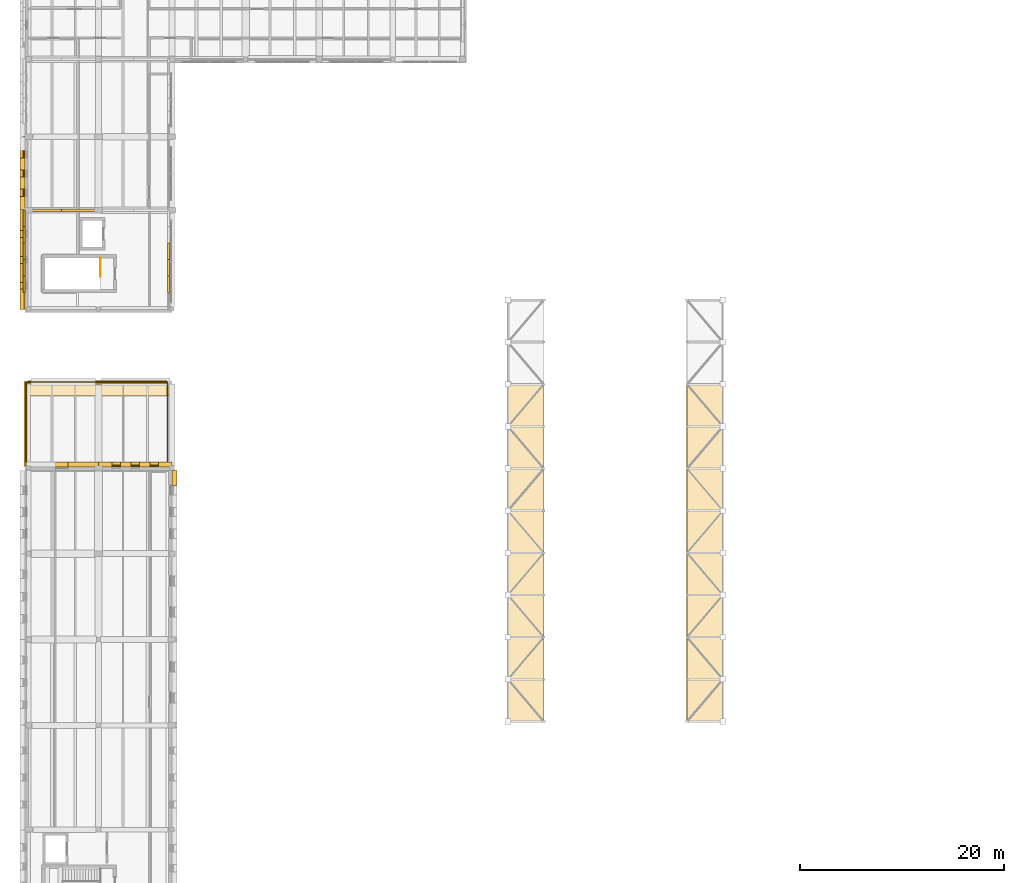
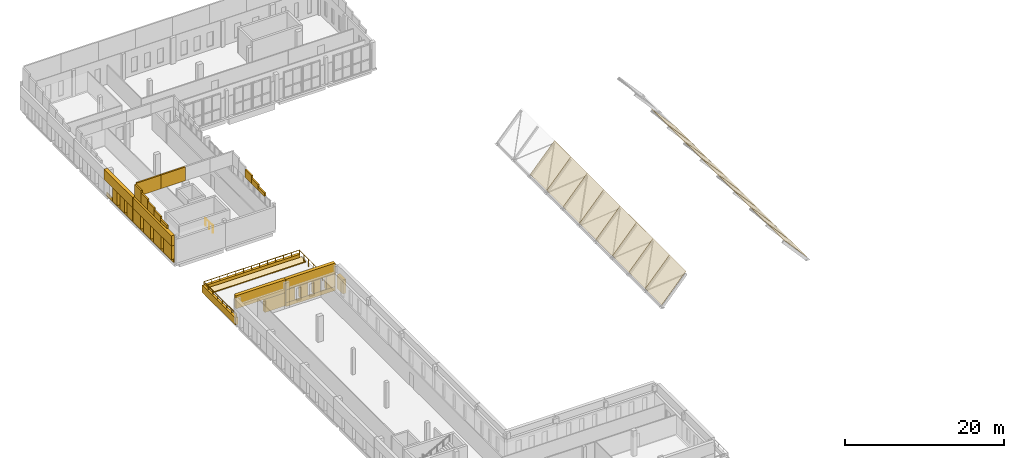
# One storey, part 31 of 34: 49 coverings, 2 railings.
"""IFC4 building model written with IfcOpenShell, lengths in metres."""

from ifc_helpers import new_model, si_unit, direction, frame, origin, origin_2d, place, context, subcontext, project, spatial, polyline, circle, outline, extrude, material, layer, layer_set, type_object, element, save


model = new_model("IFC4")

# Units and contexts
model_context = context("Model", 3, precision=1e-05, world=origin(), true_north=direction((0.0, 1.0)))
body_context = subcontext(model_context, "Body", "Model", "MODEL_VIEW")
ifc_project = project(units=[si_unit("LENGTHUNIT", "METRE"), si_unit("AREAUNIT", "SQUARE_METRE"), si_unit("VOLUMEUNIT", "CUBIC_METRE"), si_unit("PLANEANGLEUNIT", "RADIAN"), si_unit("MASSUNIT", "GRAM", prefix="KILO")], contexts=[model_context])

# Site, building, storey
site_placement = place(None, origin())
site = spatial("IfcSite", under=ifc_project, at=site_placement, CompositionType="ELEMENT")
building_placement = place(site_placement, origin())
building = spatial("IfcBuilding", under=site, at=building_placement, Name="Vardoun Plaza Health Centre", CompositionType="ELEMENT")
storey_placement = place(building_placement, frame((0.0, 0.0, 12.89990234375)))
storey = spatial("IfcBuildingStorey", under=building, at=storey_placement, Name="L03", CompositionType="ELEMENT", Elevation=12.89990234375)

# Coverings
ifc_material_1 = material(Name="Pale Limestone Concrete C35/45", Category="masonry")
ifc_layer_1 = layer(ifc_material_1, 0.080078125)
ifc_layer_set_1 = layer_set([ifc_layer_1], Name="Pale Limestone Concrete C35/45")
covering_type_1 = type_object("IfcCoveringType", Name="CL-EXT1", PredefinedType="CLADDING", material=ifc_layer_set_1)
covering_1_placement = place(storey_placement, frame((0.0, 0.0, 2.210205078125)))
element("IfcCovering", 1, at=covering_1_placement, inside=storey, type_object=covering_type_1, Name="V2 L03 Sculpted Concrete Eyebrow Hood 320", PredefinedType="CLADDING", context=body_context, shape_type="SweptSolid", body=[
    extrude(outline(polyline([(4.52001953125, 61.60009765625), (11.679931640625, 61.60009765625), (11.679931640625, 62.080078125), (4.52001953125, 62.080078125), (4.52001953125, 61.60009765625)])), origin(), (0.0, 0.0, 1.0), 1.989990234375),
])
covering_2_placement = place(storey_placement, frame((0.0, 0.0, 0.190185546875)))
element("IfcCovering", 2, at=covering_2_placement, inside=storey, type_object=covering_type_1, Name="V2 L03 Deep-Punched Slot Concrete Reveal Pier 322", PredefinedType="CLADDING", context=body_context, shape_type="SweptSolid", body=[
    extrude(outline(polyline([(8.695068359375, 61.60009765625), (11.679931640625, 61.60009765625), (11.679931640625, 62.080078125), (8.695068359375, 62.080078125), (8.695068359375, 61.60009765625)])), origin(), (0.0, 0.0, 1.0), 2.02001953125),
])
covering_3_placement = place(storey_placement, origin())
element("IfcCovering", 3, at=covering_3_placement, inside=storey, type_object=covering_type_1, Name="V2 L03 Pale Concrete Sill Band 323", PredefinedType="CLADDING", context=body_context, shape_type="SweptSolid", body=[
    extrude(outline(polyline([(11.719970703125, 61.60009765625), (18.8798828125, 61.60009765625), (18.8798828125, 61.739990234375), (11.719970703125, 61.739990234375), (11.719970703125, 61.60009765625)])), origin(), (0.0, 0.0, 1.0), 0.60009765625),
])
covering_4_placement = place(storey_placement, frame((0.0, 0.0, 2.550048828125)))
element("IfcCovering", 4, at=covering_4_placement, inside=storey, type_object=covering_type_1, Name="V2 L03 Sculpted Concrete Eyebrow Hood 324", PredefinedType="CLADDING", context=body_context, shape_type="SweptSolid", body=[
    extrude(outline(polyline([(11.719970703125, 61.60009765625), (18.8798828125, 61.60009765625), (18.8798828125, 62.080078125), (11.719970703125, 62.080078125), (11.719970703125, 61.60009765625)])), origin(), (0.0, 0.0, 1.0), 1.650146484375),
])
covering_5_placement = place(storey_placement, frame((0.0, 0.0, 0.60009765625)))
element("IfcCovering", 5, at=covering_5_placement, inside=storey, type_object=covering_type_1, Name="V2 L03 Deep-Punched Slot Concrete Reveal Pier 325", PredefinedType="CLADDING", context=body_context, shape_type="SweptSolid", body=[
    extrude(outline(polyline([(11.719970703125, 61.60009765625), (13.01806640625, 61.60009765625), (13.01806640625, 62.080078125), (11.719970703125, 62.080078125), (11.719970703125, 61.60009765625)])), origin(), (0.0, 0.0, 1.0), 1.949951171875),
])
covering_6_placement = place(storey_placement, frame((0.0, 0.0, 0.60009765625)))
element("IfcCovering", 6, at=covering_6_placement, inside=storey, type_object=covering_type_1, Name="V2 L03 Deep-Punched Slot Concrete Reveal Pier 326", PredefinedType="CLADDING", context=body_context, shape_type="SweptSolid", body=[
    extrude(outline(polyline([(13.837890625, 61.60009765625), (14.889892578125, 61.60009765625), (14.889892578125, 62.080078125), (13.837890625, 62.080078125), (13.837890625, 61.60009765625)])), origin(), (0.0, 0.0, 1.0), 1.949951171875),
])
covering_7_placement = place(storey_placement, frame((0.0, 0.0, 0.60009765625)))
element("IfcCovering", 7, at=covering_7_placement, inside=storey, type_object=covering_type_1, Name="V2 L03 Deep-Punched Slot Concrete Reveal Pier 327", PredefinedType="CLADDING", context=body_context, shape_type="SweptSolid", body=[
    extrude(outline(polyline([(15.7099609375, 61.60009765625), (16.761962890625, 61.60009765625), (16.761962890625, 62.080078125), (15.7099609375, 62.080078125), (15.7099609375, 61.60009765625)])), origin(), (0.0, 0.0, 1.0), 1.949951171875),
])
covering_8_placement = place(storey_placement, frame((0.0, 0.0, 0.60009765625)))
element("IfcCovering", 8, at=covering_8_placement, inside=storey, type_object=covering_type_1, Name="V2 L03 Deep-Punched Slot Concrete Reveal Pier 328", PredefinedType="CLADDING", context=body_context, shape_type="SweptSolid", body=[
    extrude(outline(polyline([(17.58203125, 61.60009765625), (18.8798828125, 61.60009765625), (18.8798828125, 62.080078125), (17.58203125, 62.080078125), (17.58203125, 61.60009765625)])), origin(), (0.0, 0.0, 1.0), 1.949951171875),
])
covering_9_placement = place(storey_placement, frame((0.0, 0.0, 0.550048828125)))
element("IfcCovering", 9, at=covering_9_placement, inside=storey, type_object=covering_type_1, Name="V2 L03 Deep-Punched Slot Concrete Reveal Pier 331", PredefinedType="CLADDING", context=body_context, shape_type="SweptSolid", body=[
    extrude(outline(polyline([(18.89990234375, 61.235107421875), (18.89990234375, 59.7578125), (19.3798828125, 59.7578125), (19.3798828125, 61.235107421875), (18.89990234375, 61.235107421875)])), origin(), (0.0, 0.0, 1.0), 2.1201171875),
])
covering_10_placement = place(storey_placement, origin())
element("IfcCovering", 10, at=covering_10_placement, inside=storey, type_object=covering_type_1, Name="V3 L03 Pale Concrete Sill Band 950", PredefinedType="CLADDING", context=body_context, shape_type="SweptSolid", body=[
    extrude(outline(polyline([(4.5, 77.014892578125), (4.5, 86.679931640625), (4.360107421875, 86.679931640625), (4.360107421875, 77.014892578125), (4.5, 77.014892578125)])), origin(), (0.0, 0.0, 1.0), 0.550048828125),
])
covering_11_placement = place(storey_placement, frame((0.0, 0.0, 2.630126953125)))
element("IfcCovering", 11, at=covering_11_placement, inside=storey, type_object=covering_type_1, Name="V3 L03 Sculpted Concrete Eyebrow Hood 951", PredefinedType="CLADDING", context=body_context, shape_type="SweptSolid", body=[
    extrude(outline(polyline([(4.5, 77.014892578125), (4.5, 86.679931640625), (4.02001953125, 86.679931640625), (4.02001953125, 77.014892578125), (4.5, 77.014892578125)])), origin(), (0.0, 0.0, 1.0), 1.570068359375),
])
covering_12_placement = place(storey_placement, frame((0.0, 0.0, 0.550048828125)))
element("IfcCovering", 12, at=covering_12_placement, inside=storey, type_object=covering_type_1, Name="V3 L03 Deep-Punched Slot Concrete Reveal Pier 952", PredefinedType="CLADDING", context=body_context, shape_type="SweptSolid", body=[
    extrude(outline(polyline([(4.5, 77.014892578125), (4.5, 78.994140625), (4.02001953125, 78.994140625), (4.02001953125, 77.014892578125), (4.5, 77.014892578125)])), origin(), (0.0, 0.0, 1.0), 2.080078125),
])
covering_13_placement = place(storey_placement, frame((0.0, 0.0, 0.550048828125)))
element("IfcCovering", 13, at=covering_13_placement, inside=storey, type_object=covering_type_1, Name="V3 L03 Deep-Punched Slot Concrete Reveal Pier 953", PredefinedType="CLADDING", context=body_context, shape_type="SweptSolid", body=[
    extrude(outline(polyline([(4.5, 79.654296875), (4.5, 81.517578125), (4.02001953125, 81.517578125), (4.02001953125, 79.654296875), (4.5, 79.654296875)])), origin(), (0.0, 0.0, 1.0), 2.080078125),
])
covering_14_placement = place(storey_placement, frame((0.0, 0.0, 0.550048828125)))
element("IfcCovering", 14, at=covering_14_placement, inside=storey, type_object=covering_type_1, Name="V3 L03 Deep-Punched Slot Concrete Reveal Pier 954", PredefinedType="CLADDING", context=body_context, shape_type="SweptSolid", body=[
    extrude(outline(polyline([(4.5, 82.177490234375), (4.5, 84.040771484375), (4.02001953125, 84.040771484375), (4.02001953125, 82.177490234375), (4.5, 82.177490234375)])), origin(), (0.0, 0.0, 1.0), 2.080078125),
])
covering_15_placement = place(storey_placement, frame((0.0, 0.0, 0.550048828125)))
element("IfcCovering", 15, at=covering_15_placement, inside=storey, type_object=covering_type_1, Name="V3 L03 Deep-Punched Slot Concrete Reveal Pier 955", PredefinedType="CLADDING", context=body_context, shape_type="SweptSolid", body=[
    extrude(outline(polyline([(4.5, 84.70068359375), (4.5, 86.679931640625), (4.02001953125, 86.679931640625), (4.02001953125, 84.70068359375), (4.5, 84.70068359375)])), origin(), (0.0, 0.0, 1.0), 2.080078125),
])
covering_16_placement = place(storey_placement, origin())
element("IfcCovering", 16, at=covering_16_placement, inside=storey, type_object=covering_type_1, Name="V3 L03 Pale Concrete Sill Band 956", PredefinedType="CLADDING", context=body_context, shape_type="SweptSolid", body=[
    extrude(outline(polyline([(4.5, 86.719970703125), (4.5, 93.8798828125), (4.360107421875, 93.8798828125), (4.360107421875, 86.719970703125), (4.5, 86.719970703125)])), origin(), (0.0, 0.0, 1.0), 0.550048828125),
])
covering_17_placement = place(storey_placement, frame((0.0, 0.0, 2.630126953125)))
element("IfcCovering", 17, at=covering_17_placement, inside=storey, type_object=covering_type_1, Name="V3 L03 Sculpted Concrete Eyebrow Hood 957", PredefinedType="CLADDING", context=body_context, shape_type="SweptSolid", body=[
    extrude(outline(polyline([(4.5, 86.719970703125), (4.5, 93.8798828125), (4.02001953125, 93.8798828125), (4.02001953125, 86.719970703125), (4.5, 86.719970703125)])), origin(), (0.0, 0.0, 1.0), 1.570068359375),
])
covering_18_placement = place(storey_placement, frame((0.0, 0.0, 0.550048828125)))
element("IfcCovering", 18, at=covering_18_placement, inside=storey, type_object=covering_type_1, Name="V3 L03 Deep-Punched Slot Concrete Reveal Pier 958", PredefinedType="CLADDING", context=body_context, shape_type="SweptSolid", body=[
    extrude(outline(polyline([(4.5, 86.719970703125), (4.5, 88.068115234375), (4.02001953125, 88.068115234375), (4.02001953125, 86.719970703125), (4.5, 86.719970703125)])), origin(), (0.0, 0.0, 1.0), 2.080078125),
])
covering_19_placement = place(storey_placement, frame((0.0, 0.0, 0.550048828125)))
element("IfcCovering", 19, at=covering_19_placement, inside=storey, type_object=covering_type_1, Name="V3 L03 Deep-Punched Slot Concrete Reveal Pier 959", PredefinedType="CLADDING", context=body_context, shape_type="SweptSolid", body=[
    extrude(outline(polyline([(4.5, 88.7880859375), (4.5, 89.93994140625), (4.02001953125, 89.93994140625), (4.02001953125, 88.7880859375), (4.5, 88.7880859375)])), origin(), (0.0, 0.0, 1.0), 2.080078125),
])
covering_20_placement = place(storey_placement, frame((0.0, 0.0, 0.550048828125)))
element("IfcCovering", 20, at=covering_20_placement, inside=storey, type_object=covering_type_1, Name="V3 L03 Deep-Punched Slot Concrete Reveal Pier 960", PredefinedType="CLADDING", context=body_context, shape_type="SweptSolid", body=[
    extrude(outline(polyline([(4.5, 90.659912109375), (4.5, 91.81201171875), (4.02001953125, 91.81201171875), (4.02001953125, 90.659912109375), (4.5, 90.659912109375)])), origin(), (0.0, 0.0, 1.0), 2.080078125),
])
covering_21_placement = place(storey_placement, frame((0.0, 0.0, 4.2001953125)))
element("IfcCovering", 21, at=covering_21_placement, inside=storey, type_object=covering_type_1, Name="Sculpted Concrete Roof Gable Cladding V3-S1-W.2", PredefinedType="CLADDING", context=body_context, shape_type="SweptSolid", body=[
    extrude(outline(polyline([(4.5400390625, 78.666748046875), (4.5400390625, 80.273193359375), (4.320068359375, 80.273193359375), (4.320068359375, 78.666748046875), (4.5400390625, 78.666748046875)])), origin(), (0.0, 0.0, 1.0), 0.52490234375),
])
covering_22_placement = place(storey_placement, frame((0.0, 0.0, 4.2001953125)))
element("IfcCovering", 22, at=covering_22_placement, inside=storey, type_object=covering_type_1, Name="Sculpted Concrete Roof Gable Cladding V3-S1-W.3", PredefinedType="CLADDING", context=body_context, shape_type="SweptSolid", body=[
    extrude(outline(polyline([(4.5400390625, 80.273193359375), (4.5400390625, 81.8798828125), (4.320068359375, 81.8798828125), (4.320068359375, 80.273193359375), (4.5400390625, 80.273193359375)])), origin(), (0.0, 0.0, 1.0), 0.875),
])
covering_23_placement = place(storey_placement, frame((0.0, 0.0, 4.2001953125)))
element("IfcCovering", 23, at=covering_23_placement, inside=storey, type_object=covering_type_1, Name="Sculpted Concrete Roof Gable Cladding V3-S1-W.4", PredefinedType="CLADDING", context=body_context, shape_type="SweptSolid", body=[
    extrude(outline(polyline([(4.5400390625, 81.8798828125), (4.5400390625, 83.48681640625), (4.320068359375, 83.48681640625), (4.320068359375, 81.8798828125), (4.5400390625, 81.8798828125)])), origin(), (0.0, 0.0, 1.0), 1.224853515625),
])
covering_24_placement = place(storey_placement, frame((0.0, 0.0, 4.2001953125)))
element("IfcCovering", 24, at=covering_24_placement, inside=storey, type_object=covering_type_1, Name="Sculpted Concrete Roof Gable Cladding V3-S1-W.5", PredefinedType="CLADDING", context=body_context, shape_type="SweptSolid", body=[
    extrude(outline(polyline([(4.5400390625, 83.48681640625), (4.5400390625, 85.09326171875), (4.320068359375, 85.09326171875), (4.320068359375, 83.48681640625), (4.5400390625, 83.48681640625)])), origin(), (0.0, 0.0, 1.0), 1.574951171875),
])
covering_25_placement = place(storey_placement, frame((0.0, 0.0, 4.2001953125)))
element("IfcCovering", 25, at=covering_25_placement, inside=storey, type_object=covering_type_1, Name="Sculpted Concrete Roof Gable Cladding V3-S1-W.6", PredefinedType="CLADDING", context=body_context, shape_type="SweptSolid", body=[
    extrude(outline(polyline([(4.5400390625, 85.09326171875), (4.5400390625, 86.699951171875), (4.320068359375, 86.699951171875), (4.320068359375, 85.09326171875), (4.5400390625, 85.09326171875)])), origin(), (0.0, 0.0, 1.0), 1.9248046875),
])
covering_26_placement = place(storey_placement, frame((0.0, 0.0, 4.2001953125)))
element("IfcCovering", 26, at=covering_26_placement, inside=storey, type_object=covering_type_1, Name="Sculpted Concrete Roof Gable Cladding V3-S1-E.2", PredefinedType="CLADDING", context=body_context, shape_type="SweptSolid", body=[
    extrude(outline(polyline([(18.659912109375, 78.666748046875), (18.659912109375, 80.273193359375), (18.43994140625, 80.273193359375), (18.43994140625, 78.666748046875), (18.659912109375, 78.666748046875)])), origin(), (0.0, 0.0, 1.0), 0.52490234375),
])
covering_27_placement = place(storey_placement, frame((0.0, 0.0, 4.2001953125)))
element("IfcCovering", 27, at=covering_27_placement, inside=storey, type_object=covering_type_1, Name="Sculpted Concrete Roof Gable Cladding V3-S1-E.3", PredefinedType="CLADDING", context=body_context, shape_type="SweptSolid", body=[
    extrude(outline(polyline([(18.659912109375, 80.273193359375), (18.659912109375, 81.8798828125), (18.43994140625, 81.8798828125), (18.43994140625, 80.273193359375), (18.659912109375, 80.273193359375)])), origin(), (0.0, 0.0, 1.0), 0.875),
])
covering_28_placement = place(storey_placement, frame((0.0, 0.0, 4.2001953125)))
element("IfcCovering", 28, at=covering_28_placement, inside=storey, type_object=covering_type_1, Name="Sculpted Concrete Roof Gable Cladding V3-S1-E.4", PredefinedType="CLADDING", context=body_context, shape_type="SweptSolid", body=[
    extrude(outline(polyline([(18.659912109375, 81.8798828125), (18.659912109375, 83.48681640625), (18.43994140625, 83.48681640625), (18.43994140625, 81.8798828125), (18.659912109375, 81.8798828125)])), origin(), (0.0, 0.0, 1.0), 1.224853515625),
])
covering_29_placement = place(storey_placement, frame((0.0, 0.0, 4.2001953125)))
element("IfcCovering", 29, at=covering_29_placement, inside=storey, type_object=covering_type_1, Name="Sculpted Concrete Roof Gable Cladding V3-S1-N.1", PredefinedType="CLADDING", context=body_context, shape_type="SweptSolid", body=[
    extrude(outline(polyline([(4.5400390625, 86.60009765625), (8.070068359375, 86.60009765625), (8.070068359375, 86.820068359375), (4.5400390625, 86.820068359375), (4.5400390625, 86.60009765625)])), origin(), (0.0, 0.0, 1.0), 2.099853515625),
])
covering_30_placement = place(storey_placement, frame((0.0, 0.0, 4.2001953125)))
element("IfcCovering", 30, at=covering_30_placement, inside=storey, type_object=covering_type_1, Name="Sculpted Concrete Roof Gable Cladding V3-S1-N.2", PredefinedType="CLADDING", context=body_context, shape_type="SweptSolid", body=[
    extrude(outline(polyline([(8.070068359375, 86.60009765625), (11.60009765625, 86.60009765625), (11.60009765625, 86.820068359375), (8.070068359375, 86.820068359375), (8.070068359375, 86.60009765625)])), origin(), (0.0, 0.0, 1.0), 2.099853515625),
])
covering_31_placement = place(storey_placement, frame((0.0, 0.0, -0.27978515625)))
element("IfcCovering", 31, at=covering_31_placement, inside=storey, type_object=covering_type_1, Name="V2 L03 Sculpted White Terrace Planter Ribbon W1", PredefinedType="CLADDING", context=body_context, shape_type="SweptSolid", body=[
    extrude(outline(polyline([(4.419921875, 61.64990234375), (4.780029296875, 61.64990234375), (4.780029296875, 69.949951171875), (4.419921875, 69.949951171875), (4.419921875, 61.64990234375)])), origin(), (0.0, 0.0, 1.0), 1.08984375),
])
covering_32_placement = place(storey_placement, frame((0.0, 0.0, -0.27978515625)))
element("IfcCovering", 32, at=covering_32_placement, inside=storey, type_object=covering_type_1, Name="V2 L03 Sculpted White Terrace Planter Ribbon N1", PredefinedType="CLADDING", context=body_context, shape_type="SweptSolid", body=[
    extrude(outline(polyline([(4.780029296875, 69.679931640625), (18.39990234375, 69.679931640625), (18.39990234375, 70.06005859375), (4.780029296875, 70.06005859375), (4.780029296875, 69.679931640625)])), origin(), (0.0, 0.0, 1.0), 1.08984375),
])
ifc_material_2 = material(Name="Planted Mediterranean Garden Substrate", Category="wood")
ifc_layer_2 = layer(ifc_material_2, 0.139892578125)
ifc_layer_set_2 = layer_set([ifc_layer_2], Name="Planted Mediterranean Garden Substrate")
covering_type_2 = type_object("IfcCoveringType", Name="CV-G1", PredefinedType="ROOFING", material=ifc_layer_set_2)
covering_33_placement = place(storey_placement, frame((0.0, 0.0, 0.190185546875)))
element("IfcCovering", 33, at=covering_33_placement, inside=storey, type_object=covering_type_2, Name="V2 L03 Garden Planter Bed 1", PredefinedType="ROOFING", context=body_context, shape_type="SweptSolid", body=[
    extrude(outline(polyline([(4.75, 68.550048828125), (18.64990234375, 68.550048828125), (18.64990234375, 69.75), (4.75, 69.75), (4.75, 68.550048828125)])), origin(), (0.0, 0.0, 1.0), 0.139892578125),
])
ifc_material_3 = material(Name="EPDM Insulated Roof Membrane", Category="concrete")
ifc_layer_3 = layer(ifc_material_3, 0.044921875)
ifc_layer_set_3 = layer_set([ifc_layer_3], Name="EPDM Insulated Roof Membrane")
covering_type_3 = type_object("IfcCoveringType", Name="CV-M1", PredefinedType="ROOFING", material=ifc_layer_set_3)
covering_34_placement = place(storey_placement, frame((51.764892578125, 36.679931640625, 1.392578125), z_axis=(-0.746926194805, 0.0, 0.664906955532), x_axis=(0.664906955532, 0.0, 0.746926194805)))
element("IfcCovering", 34, at=covering_34_placement, inside=storey, type_object=covering_type_3, Name="Gridshell Vault Cladding 1.2", PredefinedType="ROOFING", context=body_context, shape_type="SweptSolid", body=[
    extrude(outline(polyline([(0.0, 0.0), (5.271605183198316, 0.0), (5.271605183198316, 4.124023437499999), (0.0, 4.124023437499999), (0.0, 0.0)])), origin(), (0.0, 0.0, -1.0), 0.044921875),
])
covering_35_placement = place(storey_placement, frame((69.2900390625, 36.679931640625, 5.330078125), z_axis=(0.746949195485, 0.0, 0.664881116715), x_axis=(0.664881116715, 0.0, -0.746949195485)))
element("IfcCovering", 35, at=covering_35_placement, inside=storey, type_object=covering_type_3, Name="Gridshell Vault Cladding 1.7", PredefinedType="ROOFING", context=body_context, shape_type="SweptSolid", body=[
    extrude(outline(polyline([(0.0, 0.0), (5.2714428555527295, 0.0), (5.2714428555527295, 4.124023437499999), (0.0, 4.124023437499999), (0.0, 0.0)])), origin(), (0.0, 0.0, -1.0), 0.044921875),
])
covering_36_placement = place(storey_placement, frame((51.764892578125, 40.803955078125, 1.392578125), z_axis=(-0.746926194805, 0.0, 0.664906955532), x_axis=(0.664906955532, 0.0, 0.746926194805)))
element("IfcCovering", 36, at=covering_36_placement, inside=storey, type_object=covering_type_3, Name="Gridshell Vault Cladding 2.2", PredefinedType="ROOFING", context=body_context, shape_type="SweptSolid", body=[
    extrude(outline(polyline([(0.0, 0.0), (5.271605183198316, 0.0), (5.271605183198316, 4.124023437499999), (0.0, 4.124023437499999), (0.0, 0.0)])), origin(), (0.0, 0.0, -1.0), 0.044921875),
])
covering_37_placement = place(storey_placement, frame((69.2900390625, 40.803955078125, 5.330078125), z_axis=(0.746949195485, 0.0, 0.664881116715), x_axis=(0.664881116715, 0.0, -0.746949195485)))
element("IfcCovering", 37, at=covering_37_placement, inside=storey, type_object=covering_type_3, Name="Gridshell Vault Cladding 2.7", PredefinedType="ROOFING", context=body_context, shape_type="SweptSolid", body=[
    extrude(outline(polyline([(0.0, 0.0), (5.2714428555527295, 0.0), (5.2714428555527295, 4.124023437499999), (0.0, 4.124023437499999), (0.0, 0.0)])), origin(), (0.0, 0.0, -1.0), 0.044921875),
])
covering_38_placement = place(storey_placement, frame((51.764892578125, 44.927978515625, 1.392578125), z_axis=(-0.746926194805, 0.0, 0.664906955532), x_axis=(0.664906955532, 0.0, 0.746926194805)))
element("IfcCovering", 38, at=covering_38_placement, inside=storey, type_object=covering_type_3, Name="Gridshell Vault Cladding 3.2", PredefinedType="ROOFING", context=body_context, shape_type="SweptSolid", body=[
    extrude(outline(polyline([(0.0, 0.0), (5.271605183198316, 0.0), (5.271605183198316, 4.124023437499999), (0.0, 4.124023437499999), (0.0, 0.0)])), origin(), (0.0, 0.0, -1.0), 0.044921875),
])
covering_39_placement = place(storey_placement, frame((69.2900390625, 44.927978515625, 5.330078125), z_axis=(0.746949195485, 0.0, 0.664881116715), x_axis=(0.664881116715, 0.0, -0.746949195485)))
element("IfcCovering", 39, at=covering_39_placement, inside=storey, type_object=covering_type_3, Name="Gridshell Vault Cladding 3.7", PredefinedType="ROOFING", context=body_context, shape_type="SweptSolid", body=[
    extrude(outline(polyline([(0.0, 0.0), (5.2714428555527295, 0.0), (5.2714428555527295, 4.124023437499999), (0.0, 4.124023437499999), (0.0, 0.0)])), origin(), (0.0, 0.0, -1.0), 0.044921875),
])
covering_40_placement = place(storey_placement, frame((51.764892578125, 49.052001953125, 1.392578125), z_axis=(-0.746926194805, 0.0, 0.664906955532), x_axis=(0.664906955532, 0.0, 0.746926194805)))
element("IfcCovering", 40, at=covering_40_placement, inside=storey, type_object=covering_type_3, Name="Gridshell Vault Cladding 4.2", PredefinedType="ROOFING", context=body_context, shape_type="SweptSolid", body=[
    extrude(outline(polyline([(0.0, 0.0), (5.271605183198316, 0.0), (5.271605183198316, 4.124023437499999), (0.0, 4.124023437499999), (0.0, 0.0)])), origin(), (0.0, 0.0, -1.0), 0.044921875),
])
covering_41_placement = place(storey_placement, frame((69.2900390625, 49.052001953125, 5.330078125), z_axis=(0.746949195485, 0.0, 0.664881116715), x_axis=(0.664881116715, 0.0, -0.746949195485)))
element("IfcCovering", 41, at=covering_41_placement, inside=storey, type_object=covering_type_3, Name="Gridshell Vault Cladding 4.7", PredefinedType="ROOFING", context=body_context, shape_type="SweptSolid", body=[
    extrude(outline(polyline([(0.0, 0.0), (5.2714428555527295, 0.0), (5.2714428555527295, 4.124023437499999), (0.0, 4.124023437499999), (0.0, 0.0)])), origin(), (0.0, 0.0, -1.0), 0.044921875),
])
covering_42_placement = place(storey_placement, frame((51.764892578125, 53.176025390625, 1.392578125), z_axis=(-0.746926194805, 0.0, 0.664906955532), x_axis=(0.664906955532, 0.0, 0.746926194805)))
element("IfcCovering", 42, at=covering_42_placement, inside=storey, type_object=covering_type_3, Name="Gridshell Vault Cladding 5.2", PredefinedType="ROOFING", context=body_context, shape_type="SweptSolid", body=[
    extrude(outline(polyline([(0.0, 0.0), (5.271605183198316, 0.0), (5.271605183198316, 4.124023437499999), (0.0, 4.124023437499999), (0.0, 0.0)])), origin(), (0.0, 0.0, -1.0), 0.044921875),
])
covering_43_placement = place(storey_placement, frame((69.2900390625, 53.176025390625, 5.330078125), z_axis=(0.746949195485, 0.0, 0.664881116715), x_axis=(0.664881116715, 0.0, -0.746949195485)))
element("IfcCovering", 43, at=covering_43_placement, inside=storey, type_object=covering_type_3, Name="Gridshell Vault Cladding 5.7", PredefinedType="ROOFING", context=body_context, shape_type="SweptSolid", body=[
    extrude(outline(polyline([(0.0, 0.0), (5.2714428555527295, 0.0), (5.2714428555527295, 4.124023437499999), (0.0, 4.124023437499999), (0.0, 0.0)])), origin(), (0.0, 0.0, -1.0), 0.044921875),
])
covering_44_placement = place(storey_placement, frame((51.764892578125, 57.300048828125, 1.392578125), z_axis=(-0.746926194805, 0.0, 0.664906955532), x_axis=(0.664906955532, 0.0, 0.746926194805)))
element("IfcCovering", 44, at=covering_44_placement, inside=storey, type_object=covering_type_3, Name="Gridshell Vault Cladding 6.2", PredefinedType="ROOFING", context=body_context, shape_type="SweptSolid", body=[
    extrude(outline(polyline([(0.0, 0.0), (5.271605183198316, 0.0), (5.271605183198316, 4.124023437499999), (0.0, 4.124023437499999), (0.0, 0.0)])), origin(), (0.0, 0.0, -1.0), 0.044921875),
])
covering_45_placement = place(storey_placement, frame((69.2900390625, 57.300048828125, 5.330078125), z_axis=(0.746949195485, 0.0, 0.664881116715), x_axis=(0.664881116715, 0.0, -0.746949195485)))
element("IfcCovering", 45, at=covering_45_placement, inside=storey, type_object=covering_type_3, Name="Gridshell Vault Cladding 6.7", PredefinedType="ROOFING", context=body_context, shape_type="SweptSolid", body=[
    extrude(outline(polyline([(0.0, 0.0), (5.2714428555527295, 0.0), (5.2714428555527295, 4.124023437499999), (0.0, 4.124023437499999), (0.0, 0.0)])), origin(), (0.0, 0.0, -1.0), 0.044921875),
])
covering_46_placement = place(storey_placement, frame((51.764892578125, 61.424072265625, 1.392578125), z_axis=(-0.746926194805, 0.0, 0.664906955532), x_axis=(0.664906955532, 0.0, 0.746926194805)))
element("IfcCovering", 46, at=covering_46_placement, inside=storey, type_object=covering_type_3, Name="Gridshell Vault Cladding 7.2", PredefinedType="ROOFING", context=body_context, shape_type="SweptSolid", body=[
    extrude(outline(polyline([(0.0, 0.0), (5.271605183198316, 0.0), (5.271605183198316, 4.124023437499999), (0.0, 4.124023437499999), (0.0, 0.0)])), origin(), (0.0, 0.0, -1.0), 0.044921875),
])
covering_47_placement = place(storey_placement, frame((69.2900390625, 61.424072265625, 5.330078125), z_axis=(0.746949195485, 0.0, 0.664881116715), x_axis=(0.664881116715, 0.0, -0.746949195485)))
element("IfcCovering", 47, at=covering_47_placement, inside=storey, type_object=covering_type_3, Name="Gridshell Vault Cladding 7.7", PredefinedType="ROOFING", context=body_context, shape_type="SweptSolid", body=[
    extrude(outline(polyline([(0.0, 0.0), (5.2714428555527295, 0.0), (5.2714428555527295, 4.124023437499999), (0.0, 4.124023437499999), (0.0, 0.0)])), origin(), (0.0, 0.0, -1.0), 0.044921875),
])
covering_48_placement = place(storey_placement, frame((51.764892578125, 65.548095703125, 1.392578125), z_axis=(-0.746926194805, 0.0, 0.664906955532), x_axis=(0.664906955532, 0.0, 0.746926194805)))
element("IfcCovering", 48, at=covering_48_placement, inside=storey, type_object=covering_type_3, Name="Gridshell Vault Cladding 8.2", PredefinedType="ROOFING", context=body_context, shape_type="SweptSolid", body=[
    extrude(outline(polyline([(0.0, 0.0), (5.271605183198316, 0.0), (5.271605183198316, 4.124023437499999), (0.0, 4.124023437499999), (0.0, 0.0)])), origin(), (0.0, 0.0, -1.0), 0.044921875),
])
covering_49_placement = place(storey_placement, frame((69.2900390625, 65.548095703125, 5.330078125), z_axis=(0.746949195485, 0.0, 0.664881116715), x_axis=(0.664881116715, 0.0, -0.746949195485)))
element("IfcCovering", 49, at=covering_49_placement, inside=storey, type_object=covering_type_3, Name="Gridshell Vault Cladding 8.7", PredefinedType="ROOFING", context=body_context, shape_type="SweptSolid", body=[
    extrude(outline(polyline([(0.0, 0.0), (5.2714428555527295, 0.0), (5.2714428555527295, 4.124023437499999), (0.0, 4.124023437499999), (0.0, 0.0)])), origin(), (0.0, 0.0, -1.0), 0.044921875),
])

# Railings
ifc_material_4 = material(Name="Painted Steel S275JR Stair-Well Guardrail", Category="steel")
railing_type_1 = type_object("IfcRailingType", Name="GR-04", PredefinedType="GUARDRAIL", material=ifc_material_4)
railing_1_placement = place(storey_placement, frame((11.889892578125, 80.205078125, 0.0)))
element("IfcRailing", 50, at=railing_1_placement, inside=storey, type_object=railing_type_1, Name="Stair ST-C3-L02 Upper Landing Well Guard", PredefinedType="GUARDRAIL", context=body_context, shape_type="SweptSolid", body=[
    extrude(circle(Radius=0.02392578125, at=origin_2d()), frame((0.0, 0.0, 1.09619140625), z_axis=(0.0, 1.0, 0.0), x_axis=(-1.0, 0.0, 0.0)), (0.0, 0.0, 1.0), 1.81494140625),
    extrude(circle(Radius=0.02099609375, at=origin_2d()), origin(), (0.0, 0.0, 1.0), 1.072021484375),
    extrude(circle(Radius=0.02099609375, at=origin_2d()), frame((0.0, 0.907470703125, 0.0)), (0.0, 0.0, 1.0), 1.072021484375),
    extrude(circle(Radius=0.02099609375, at=origin_2d()), frame((0.0, 1.81494140625, 0.0)), (0.0, 0.0, 1.0), 1.072021484375),
])
ifc_material_5 = material(Name="Galvanised Steel S275JR and Laminated Glass", Category="steel")
railing_type_2 = type_object("IfcRailingType", Name="GR-01", PredefinedType="BALUSTRADE", material=ifc_material_5)
railing_2_placement = place(storey_placement, frame((4.6201171875, 61.719970703125, 0.190185546875)))
element("IfcRailing", 51, at=railing_2_placement, inside=storey, type_object=railing_type_2, Name="V2 L03 Terrace Balustrade 1", PredefinedType="BALUSTRADE", context=body_context, shape_type="SweptSolid", body=[
    extrude(circle(Radius=0.02392578125, at=origin_2d()), frame((0.0, 0.0, 1.1259765625), z_axis=(0.0, 1.0, 0.0), x_axis=(-1.0, 0.0, 0.0)), (0.0, 0.0, 1.0), 8.159912109375),
    extrude(circle(Radius=0.02392578125, at=origin_2d()), frame((0.0, 8.159912109375, 1.1259765625), z_axis=(1.0, 0.0, 0.0), x_axis=(0.0, 1.0, 0.0)), (0.0, 0.0, 1.0), 13.829833984375),
    extrude(circle(Radius=0.02392578125, at=origin_2d()), frame((13.829833984375, 8.159912109375, 1.1259765625), z_axis=(0.0, -1.0, 0.0), x_axis=(1.0, 0.0, 0.0)), (0.0, 0.0, 1.0), 8.159912109375),
    extrude(circle(Radius=0.02099609375, at=origin_2d()), origin(), (0.0, 0.0, 1.0), 1.101806640625),
    extrude(circle(Radius=0.02099609375, at=origin_2d()), frame((0.0, 1.165771484375, 0.0)), (0.0, 0.0, 1.0), 1.101806640625),
    extrude(circle(Radius=0.02099609375, at=origin_2d()), frame((0.0, 2.331298828125, 0.0)), (0.0, 0.0, 1.0), 1.101806640625),
    extrude(circle(Radius=0.02099609375, at=origin_2d()), frame((0.0, 3.4970703125, 0.0)), (0.0, 0.0, 1.0), 1.101806640625),
    extrude(circle(Radius=0.02099609375, at=origin_2d()), frame((0.0, 4.662841796875, 0.0)), (0.0, 0.0, 1.0), 1.101806640625),
    extrude(circle(Radius=0.02099609375, at=origin_2d()), frame((0.0, 5.82861328125, 0.0)), (0.0, 0.0, 1.0), 1.101806640625),
    extrude(circle(Radius=0.02099609375, at=origin_2d()), frame((0.0, 6.994140625, 0.0)), (0.0, 0.0, 1.0), 1.101806640625),
    extrude(circle(Radius=0.02099609375, at=origin_2d()), frame((0.0, 8.159912109375, 0.0)), (0.0, 0.0, 1.0), 1.101806640625),
    extrude(circle(Radius=0.02099609375, at=origin_2d()), frame((1.152587890625, 8.159912109375, 0.0)), (0.0, 0.0, 1.0), 1.101806640625),
    extrude(circle(Radius=0.02099609375, at=origin_2d()), frame((2.304931640625, 8.159912109375, 0.0)), (0.0, 0.0, 1.0), 1.101806640625),
    extrude(circle(Radius=0.02099609375, at=origin_2d()), frame((3.45751953125, 8.159912109375, 0.0)), (0.0, 0.0, 1.0), 1.101806640625),
    extrude(circle(Radius=0.02099609375, at=origin_2d()), frame((4.60986328125, 8.159912109375, 0.0)), (0.0, 0.0, 1.0), 1.101806640625),
    extrude(circle(Radius=0.02099609375, at=origin_2d()), frame((5.762451171875, 8.159912109375, 0.0)), (0.0, 0.0, 1.0), 1.101806640625),
    extrude(circle(Radius=0.02099609375, at=origin_2d()), frame((6.9150390625, 8.159912109375, 0.0)), (0.0, 0.0, 1.0), 1.101806640625),
    extrude(circle(Radius=0.02099609375, at=origin_2d()), frame((8.0673828125, 8.159912109375, 0.0)), (0.0, 0.0, 1.0), 1.101806640625),
    extrude(circle(Radius=0.02099609375, at=origin_2d()), frame((9.219970703125, 8.159912109375, 0.0)), (0.0, 0.0, 1.0), 1.101806640625),
    extrude(circle(Radius=0.02099609375, at=origin_2d()), frame((10.372314453125, 8.159912109375, 0.0)), (0.0, 0.0, 1.0), 1.101806640625),
    extrude(circle(Radius=0.02099609375, at=origin_2d()), frame((11.52490234375, 8.159912109375, 0.0)), (0.0, 0.0, 1.0), 1.101806640625),
    extrude(circle(Radius=0.02099609375, at=origin_2d()), frame((12.67724609375, 8.159912109375, 0.0)), (0.0, 0.0, 1.0), 1.101806640625),
    extrude(circle(Radius=0.02099609375, at=origin_2d()), frame((13.829833984375, 8.159912109375, 0.0)), (0.0, 0.0, 1.0), 1.101806640625),
    extrude(circle(Radius=0.02099609375, at=origin_2d()), frame((13.829833984375, 6.994140625, 0.0)), (0.0, 0.0, 1.0), 1.101806640625),
    extrude(circle(Radius=0.02099609375, at=origin_2d()), frame((13.829833984375, 5.82861328125, 0.0)), (0.0, 0.0, 1.0), 1.101806640625),
    extrude(circle(Radius=0.02099609375, at=origin_2d()), frame((13.829833984375, 4.662841796875, 0.0)), (0.0, 0.0, 1.0), 1.101806640625),
    extrude(circle(Radius=0.02099609375, at=origin_2d()), frame((13.829833984375, 3.4970703125, 0.0)), (0.0, 0.0, 1.0), 1.101806640625),
    extrude(circle(Radius=0.02099609375, at=origin_2d()), frame((13.829833984375, 2.331298828125, 0.0)), (0.0, 0.0, 1.0), 1.101806640625),
    extrude(circle(Radius=0.02099609375, at=origin_2d()), frame((13.829833984375, 1.165771484375, 0.0)), (0.0, 0.0, 1.0), 1.101806640625),
    extrude(circle(Radius=0.02099609375, at=origin_2d()), frame((13.829833984375, 0.0, 0.0)), (0.0, 0.0, 1.0), 1.101806640625),
])

save(model, "model.ifc")
